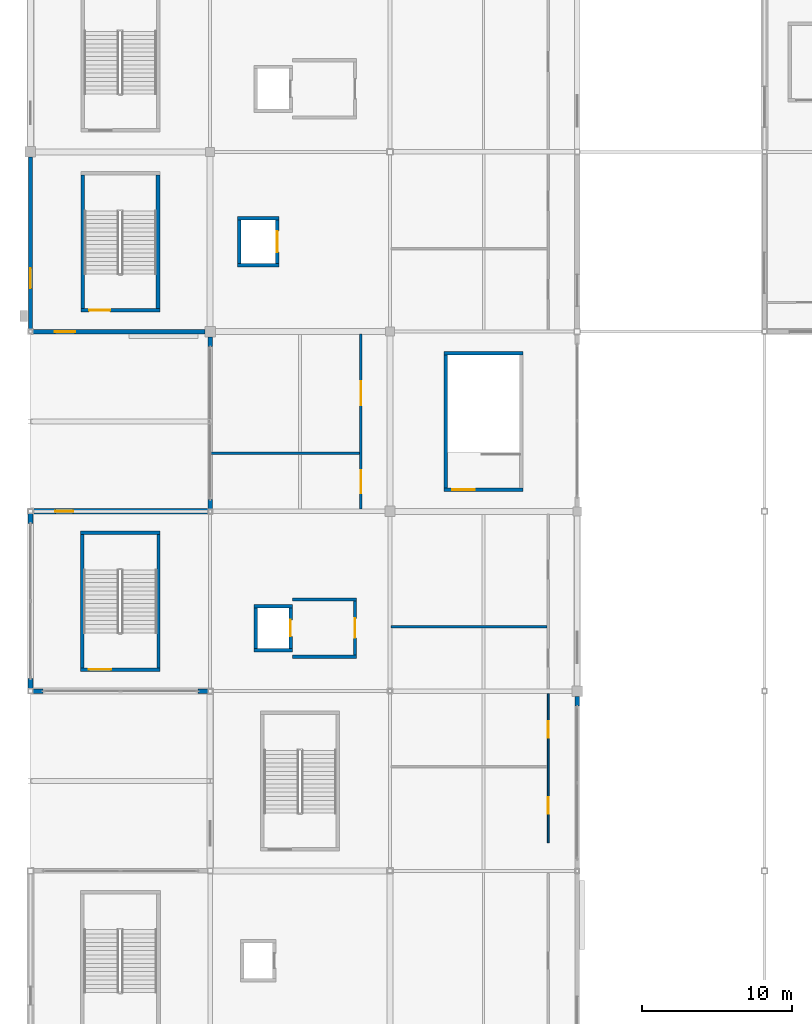
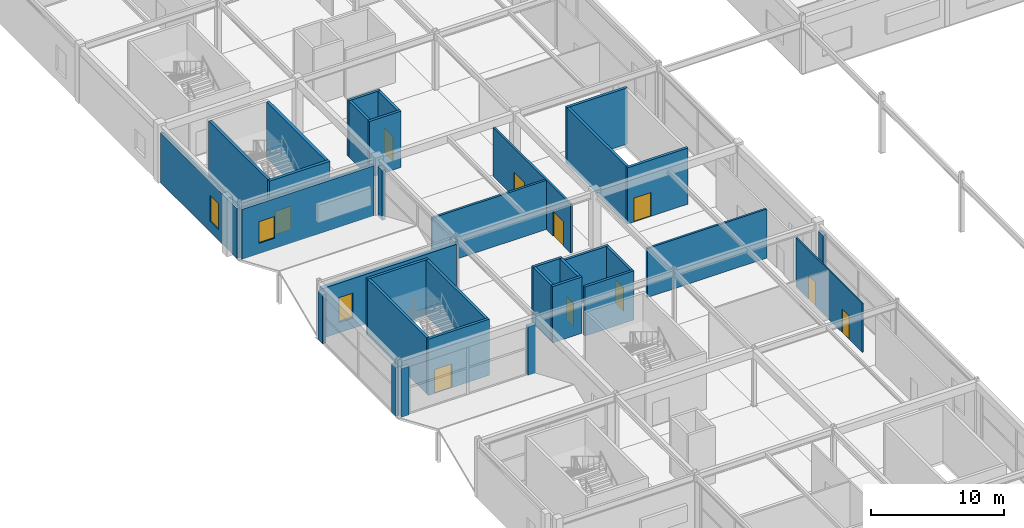
# One storey, part 75 of 105: 35 walls, 10 doors, 3 windows, 13 openings.
"""IFC4 building model written with IfcOpenShell, lengths in metres."""

from ifc_helpers import new_model, si_unit, direction, frame, frame_2d, origin, place, context, subcontext, project, spatial, rectangle, extrude, material, layer, layer_set, type_object, element, fill, save


model = new_model("IFC4")

# Units and contexts
model_context = context("Model", 3, precision=1e-05, world=origin(), true_north=direction((0.0, 1.0)))
body_context = subcontext(model_context, "Body", "Model", "MODEL_VIEW")
ifc_project = project(units=[si_unit("LENGTHUNIT", "METRE"), si_unit("AREAUNIT", "SQUARE_METRE"), si_unit("VOLUMEUNIT", "CUBIC_METRE"), si_unit("PLANEANGLEUNIT", "RADIAN"), si_unit("MASSUNIT", "GRAM", prefix="KILO")], contexts=[model_context])

# Site, building, storey
site_placement = place(None, origin())
site = spatial("IfcSite", under=ifc_project, at=site_placement, CompositionType="ELEMENT")
building_placement = place(site_placement, origin())
building = spatial("IfcBuilding", under=site, at=building_placement, Name="Kazenohara Klinker Stadium", CompositionType="ELEMENT")
storey_placement = place(building_placement, frame((0.0, 0.0, 20.39990234375)))
storey = spatial("IfcBuildingStorey", under=building, at=storey_placement, Name="L04", CompositionType="ELEMENT", Elevation=20.39990234375)

# Wall, opening, door
ifc_material_1 = material(Name="Concrete C40/50", Category="concrete")
ifc_layer_1 = layer(ifc_material_1, 0.22998046875)
ifc_layer_set_1 = layer_set([ifc_layer_1], Name="Concrete C40/50")
wall_type_1 = type_object("IfcWallType", Name="WAL-CORE-230", PredefinedType="SHEAR", material=ifc_layer_set_1)
wall_1_placement = place(storey_placement, frame((3.340087890625, 109.43505859375, 0.0), z_axis=(0.0, 0.0, 1.0), x_axis=(1.0, 0.0, 0.0)))
wall_1 = element("IfcWall", 1, at=wall_1_placement, inside=storey, type_object=wall_type_1, Name="Stairwell shear wall ST04 L04 South", PredefinedType="SHEAR", context=body_context, shape_type="SweptSolid", body=[
    extrude(rectangle(XDim=5.31982421875, YDim=0.22998046875, at=frame_2d((2.659912109375, 0.0))), origin(), (0.0, 0.0, 1.0), 5.18017578125),
])
opening_1_placement = place(wall_1_placement, frame((0.550048828125, 0.0, 0.0)))
opening_1 = element("IfcOpeningElement", 2, at=opening_1_placement, cuts=wall_1, Name="Opening SD02", PredefinedType="OPENING", context=body_context, shape_type="SweptSolid", body=[
    extrude(rectangle(XDim=1.5, YDim=2.199951171875, at=frame_2d((0.75, 1.10009765625))), frame((0.0, 0.125, 0.0), z_axis=(0.0, -1.0, 0.0), x_axis=(1.0, 0.0, 0.0)), (0.0, 0.0, 1.0), 0.25),
])
ifc_material_2 = material(Name="Flush painted steel fire door leaf", Category="steel")
door_type_1 = type_object("IfcDoorType", Name="DR-STR-1500x2200", OperationType="NOTDEFINED", PredefinedType="DOOR", material=ifc_material_2)
door_1_placement = place(opening_1_placement, origin())
door_1 = element("IfcDoor", 3, at=door_1_placement, inside=storey, type_object=door_type_1, Name="Escape stairwell fire door ST04-L04", OperationType="SINGLE_SWING_LEFT", OverallHeight=2.199951171875, OverallWidth=1.5, PredefinedType="DOOR", context=body_context, shape_type="SweptSolid", body=[
    extrude(rectangle(XDim=1.5, YDim=2.199951171875, at=frame_2d((0.75, 1.10009765625))), frame((0.0, 0.02490234375, 0.0), z_axis=(0.0, -1.0, 0.0), x_axis=(1.0, 0.0, 0.0)), (0.0, 0.0, 1.0), 0.050048828125),
])
fill(opening_1, door_1)

# Walls
wall_2_placement = place(storey_placement, frame((3.340087890625, 118.56494140625, 0.0), z_axis=(0.0, 0.0, 1.0), x_axis=(1.0, 0.0, 0.0)))
element("IfcWall", 4, at=wall_2_placement, inside=storey, type_object=wall_type_1, Name="Stairwell shear wall ST04 L04 North", PredefinedType="SHEAR", context=body_context, shape_type="SweptSolid", body=[
    extrude(rectangle(XDim=5.31982421875, YDim=0.22998046875, at=frame_2d((2.659912109375, 0.0))), origin(), (0.0, 0.0, 1.0), 5.18017578125),
])
for number, where, z_axis, x_axis, name in (
    (5, (3.455078125, 109.550048828125, 0.0), (0.0, 0.0, 1.0), (0.0, 1.0, 0.0), "Stairwell shear wall ST04 L04 West"),
    (6, (8.544921875, 109.550048828125, 0.0), (0.0, 0.0, 1.0), (0.0, 1.0, 0.0), "Stairwell shear wall ST04 L04 East"),
):
    element("IfcWall", number, at=place(storey_placement, frame(where, z_axis=z_axis, x_axis=x_axis)), inside=storey, type_object=wall_type_1, Name=name, PredefinedType="SHEAR", context=body_context, shape_type="SweptSolid", body=[
        extrude(rectangle(XDim=8.89990234375, YDim=0.22998046875, at=frame_2d((4.449951171875, 0.0))), origin(), (0.0, 0.0, 1.0), 5.18017578125),
    ])

# Wall, opening, door
wall_3_placement = place(storey_placement, frame((27.6201171875, 121.43505859375, 0.0), z_axis=(0.0, 0.0, 1.0), x_axis=(1.0, 0.0, 0.0)))
wall_3 = element("IfcWall", 7, at=wall_3_placement, inside=storey, type_object=wall_type_1, Name="Stairwell shear wall ST18 L04 South", PredefinedType="SHEAR", context=body_context, shape_type="SweptSolid", body=[
    extrude(rectangle(XDim=5.259765625, YDim=0.22998046875, at=frame_2d((2.6298828125, 0.0))), origin(), (0.0, 0.0, 1.0), 5.18017578125),
])
opening_2_placement = place(wall_3_placement, frame((0.550048828125, 0.0, 0.0)))
opening_2 = element("IfcOpeningElement", 8, at=opening_2_placement, cuts=wall_3, Name="Opening SD02", PredefinedType="OPENING", context=body_context, shape_type="SweptSolid", body=[
    extrude(rectangle(XDim=1.5, YDim=2.199951171875, at=frame_2d((0.75, 1.10009765625))), frame((0.0, 0.125, 0.0), z_axis=(0.0, -1.0, 0.0), x_axis=(1.0, 0.0, 0.0)), (0.0, 0.0, 1.0), 0.25),
])
door_2_placement = place(opening_2_placement, origin())
door_2 = element("IfcDoor", 9, at=door_2_placement, inside=storey, type_object=door_type_1, Name="Escape stairwell fire door ST18-L04", OperationType="SINGLE_SWING_RIGHT", OverallHeight=2.199951171875, OverallWidth=1.5, PredefinedType="DOOR", context=body_context, shape_type="SweptSolid", body=[
    extrude(rectangle(XDim=1.5, YDim=2.199951171875, at=frame_2d((0.75, 1.10009765625))), frame((0.0, 0.02490234375, 0.0), z_axis=(0.0, -1.0, 0.0), x_axis=(1.0, 0.0, 0.0)), (0.0, 0.0, 1.0), 0.050048828125),
])
fill(opening_2, door_2)

# Walls
wall_4_placement = place(storey_placement, frame((27.6201171875, 130.56494140625, 0.0), z_axis=(0.0, 0.0, 1.0), x_axis=(1.0, 0.0, 0.0)))
element("IfcWall", 10, at=wall_4_placement, inside=storey, type_object=wall_type_1, Name="Stairwell shear wall ST18 L04 North", PredefinedType="SHEAR", context=body_context, shape_type="SweptSolid", body=[
    extrude(rectangle(XDim=5.259765625, YDim=0.22998046875, at=frame_2d((2.6298828125, 0.0))), origin(), (0.0, 0.0, 1.0), 5.18017578125),
])
wall_5_placement = place(storey_placement, frame((27.735107421875, 121.550048828125, 0.0), z_axis=(0.0, 0.0, 1.0), x_axis=(0.0, 1.0, 0.0)))
element("IfcWall", 11, at=wall_5_placement, inside=storey, type_object=wall_type_1, Name="Stairwell shear wall ST18 L04 West", PredefinedType="SHEAR", context=body_context, shape_type="SweptSolid", body=[
    extrude(rectangle(XDim=8.89990234375, YDim=0.22998046875, at=frame_2d((4.449951171875, 0.0))), origin(), (0.0, 0.0, 1.0), 5.18017578125),
])
for number, where, z_axis, x_axis, name in (
    (12, (14.919921875, 110.735107421875, 0.0), (0.0, 0.0, 1.0), (1.0, 0.0, 0.0), "Elevator shaft wall LF02 L04 South"),
    (13, (14.919921875, 113.6650390625, 0.0), (0.0, 0.0, 1.0), (1.0, 0.0, 0.0), "Elevator shaft wall LF02 L04 North"),
):
    element("IfcWall", number, at=place(storey_placement, frame(where, z_axis=z_axis, x_axis=x_axis)), inside=storey, type_object=wall_type_1, Name=name, PredefinedType="SHEAR", context=body_context, shape_type="SweptSolid", body=[
        extrude(rectangle(XDim=2.56005859375, YDim=0.22998046875, at=frame_2d((1.280029296875, 0.0))), origin(), (0.0, 0.0, 1.0), 5.18017578125),
    ])
wall_6_placement = place(storey_placement, frame((15.034912109375, 110.85009765625, 0.0), z_axis=(0.0, 0.0, 1.0), x_axis=(0.0, 1.0, 0.0)))
element("IfcWall", 14, at=wall_6_placement, inside=storey, type_object=wall_type_1, Name="Elevator shaft wall LF02 L04 West", PredefinedType="SHEAR", context=body_context, shape_type="SweptSolid", body=[
    extrude(rectangle(XDim=2.699951171875, YDim=0.22998046875, at=frame_2d((1.35009765625, 0.0))), origin(), (0.0, 0.0, 1.0), 5.18017578125),
])

# Wall, opening, door
wall_7_placement = place(storey_placement, frame((17.364990234375, 110.85009765625, 0.0), z_axis=(0.0, 0.0, 1.0), x_axis=(0.0, 1.0, 0.0)))
wall_7 = element("IfcWall", 15, at=wall_7_placement, inside=storey, type_object=wall_type_1, Name="Elevator shaft wall LF02 L04 East", PredefinedType="SHEAR", context=body_context, shape_type="SweptSolid", body=[
    extrude(rectangle(XDim=2.699951171875, YDim=0.22998046875, at=frame_2d((1.35009765625, 0.0))), origin(), (0.0, 0.0, 1.0), 5.18017578125),
])
opening_3_placement = place(wall_7_placement, frame((0.800048828125, 0.0, 0.0)))
opening_3 = element("IfcOpeningElement", 16, at=opening_3_placement, cuts=wall_7, Name="Opening LD01", PredefinedType="OPENING", context=body_context, shape_type="SweptSolid", body=[
    extrude(rectangle(XDim=1.10009765625, YDim=2.14990234375, at=frame_2d((0.550048828125, 1.074951171875))), frame((0.0, 0.125, 0.0), z_axis=(0.0, -1.0, 0.0), x_axis=(1.0, 0.0, 0.0)), (0.0, 0.0, 1.0), 0.25),
])
ifc_material_3 = material(Name="Stainless steel fire-rated sliding landing door", Category="steel")
door_type_2 = type_object("IfcDoorType", Name="DR-LD01-1100x2150", OperationType="NOTDEFINED", PredefinedType="DOOR", material=ifc_material_3)
door_3_placement = place(opening_3_placement, origin())
door_3 = element("IfcDoor", 17, at=door_3_placement, inside=storey, type_object=door_type_2, Name="Elevator sliding landing door LF02-L04", OperationType="DOUBLE_DOOR_SLIDING", OverallHeight=2.14990234375, OverallWidth=1.10009765625, PredefinedType="DOOR", context=body_context, shape_type="SweptSolid", body=[
    extrude(rectangle(XDim=1.10009765625, YDim=2.14990234375, at=frame_2d((0.550048828125, 1.074951171875))), frame((0.0, 0.02490234375, 0.0), z_axis=(0.0, -1.0, 0.0), x_axis=(1.0, 0.0, 0.0)), (0.0, 0.0, 1.0), 0.050048828125),
])
fill(opening_3, door_3)

# Walls
for number, where, z_axis, x_axis, name in (
    (18, (13.820068359375, 136.43505859375, 0.0), (0.0, 0.0, 1.0), (1.0, 0.0, 0.0), "Elevator shaft wall LG01 L04 South"),
    (19, (13.820068359375, 139.56494140625, 0.0), (0.0, 0.0, 1.0), (1.0, 0.0, 0.0), "Elevator shaft wall LG01 L04 North"),
):
    element("IfcWall", number, at=place(storey_placement, frame(where, z_axis=z_axis, x_axis=x_axis)), inside=storey, type_object=wall_type_1, Name=name, PredefinedType="SHEAR", context=body_context, shape_type="SweptSolid", body=[
        extrude(rectangle(XDim=2.760009765625, YDim=0.22998046875, at=frame_2d((1.3798828125, 0.0))), origin(), (0.0, 0.0, 1.0), 5.18017578125),
    ])
wall_8_placement = place(storey_placement, frame((13.93505859375, 136.550048828125, 0.0), z_axis=(0.0, 0.0, 1.0), x_axis=(0.0, 1.0, 0.0)))
element("IfcWall", 20, at=wall_8_placement, inside=storey, type_object=wall_type_1, Name="Elevator shaft wall LG01 L04 West", PredefinedType="SHEAR", context=body_context, shape_type="SweptSolid", body=[
    extrude(rectangle(XDim=2.89990234375, YDim=0.22998046875, at=frame_2d((1.449951171875, 0.0))), origin(), (0.0, 0.0, 1.0), 5.18017578125),
])

# Wall, opening, door
wall_9_placement = place(storey_placement, frame((16.465087890625, 136.550048828125, 0.0), z_axis=(0.0, 0.0, 1.0), x_axis=(0.0, 1.0, 0.0)))
wall_9 = element("IfcWall", 21, at=wall_9_placement, inside=storey, type_object=wall_type_1, Name="Elevator shaft wall LG01 L04 East", PredefinedType="SHEAR", context=body_context, shape_type="SweptSolid", body=[
    extrude(rectangle(XDim=2.89990234375, YDim=0.22998046875, at=frame_2d((1.449951171875, 0.0))), origin(), (0.0, 0.0, 1.0), 5.18017578125),
])
opening_4_placement = place(wall_9_placement, frame((0.75, 0.0, 0.0)))
opening_4 = element("IfcOpeningElement", 22, at=opening_4_placement, cuts=wall_9, Name="Opening LD03", PredefinedType="OPENING", context=body_context, shape_type="SweptSolid", body=[
    extrude(rectangle(XDim=1.39990234375, YDim=2.25, at=frame_2d((0.699951171875, 1.125))), frame((0.0, 0.125, 0.0), z_axis=(0.0, -1.0, 0.0), x_axis=(1.0, 0.0, 0.0)), (0.0, 0.0, 1.0), 0.25),
])
ifc_material_4 = material(Name="Heavy-duty stainless steel sliding goods landing door", Category="steel")
door_type_3 = type_object("IfcDoorType", Name="DR-LD03-1400x2250", OperationType="NOTDEFINED", PredefinedType="DOOR", material=ifc_material_4)
door_4_placement = place(opening_4_placement, origin())
door_4 = element("IfcDoor", 23, at=door_4_placement, inside=storey, type_object=door_type_3, Name="Elevator sliding landing door LG01-L04", OperationType="DOUBLE_DOOR_SLIDING", OverallHeight=2.25, OverallWidth=1.39990234375, PredefinedType="DOOR", context=body_context, shape_type="SweptSolid", body=[
    extrude(rectangle(XDim=1.39990234375, YDim=2.25, at=frame_2d((0.699951171875, 1.125))), frame((0.0, 0.02490234375, 0.0), z_axis=(0.0, -1.0, 0.0), x_axis=(1.0, 0.0, 0.0)), (0.0, 0.0, 1.0), 0.050048828125),
])
fill(opening_4, door_4)

ifc_layer_2 = layer(ifc_material_1, 0.25)
ifc_layer_set_2 = layer_set([ifc_layer_2], Name="Concrete C40/50")
wall_type_2 = type_object("IfcWallType", Name="WAL-CORE-250", PredefinedType="SHEAR", material=ifc_layer_set_2)
wall_10_placement = place(storey_placement, frame((3.360107421875, 133.425048828125, 0.0), z_axis=(0.0, 0.0, 1.0), x_axis=(1.0, 0.0, 0.0)))
wall_10 = element("IfcWall", 24, at=wall_10_placement, inside=storey, type_object=wall_type_2, Name="Stairwell shear wall ST05 L04 South", PredefinedType="SHEAR", context=body_context, shape_type="SweptSolid", body=[
    extrude(rectangle(XDim=5.27978515625, YDim=0.25, at=frame_2d((2.639892578125, 0.0))), origin(), (0.0, 0.0, 1.0), 5.18017578125),
])
opening_5_placement = place(wall_10_placement, frame((0.550048828125, 0.0, 0.0)))
opening_5 = element("IfcOpeningElement", 25, at=opening_5_placement, cuts=wall_10, Name="Opening SD01", PredefinedType="OPENING", context=body_context, shape_type="SweptSolid", body=[
    extrude(rectangle(XDim=1.39990234375, YDim=2.14990234375, at=frame_2d((0.699951171875, 1.074951171875))), frame((0.0, 0.135009765625, 0.0), z_axis=(0.0, -1.0, 0.0), x_axis=(1.0, 0.0, 0.0)), (0.0, 0.0, 1.0), 0.27001953125),
])
door_type_4 = type_object("IfcDoorType", Name="DR-STR-1400x2150", OperationType="NOTDEFINED", PredefinedType="DOOR", material=ifc_material_2)
door_5_placement = place(opening_5_placement, origin())
door_5 = element("IfcDoor", 26, at=door_5_placement, inside=storey, type_object=door_type_4, Name="Escape stairwell fire door ST05-L04", OperationType="SINGLE_SWING_RIGHT", OverallHeight=2.14990234375, OverallWidth=1.39990234375, PredefinedType="DOOR", context=body_context, shape_type="SweptSolid", body=[
    extrude(rectangle(XDim=1.39990234375, YDim=2.14990234375, at=frame_2d((0.699951171875, 1.074951171875))), frame((0.0, 0.02490234375, 0.0), z_axis=(0.0, -1.0, 0.0), x_axis=(1.0, 0.0, 0.0)), (0.0, 0.0, 1.0), 0.050048828125),
])
fill(opening_5, door_5)

# Walls
for number, where, z_axis, x_axis, name in (
    (27, (3.485107421875, 133.550048828125, 0.0), (0.0, 0.0, 1.0), (0.0, 1.0, 0.0), "Stairwell shear wall ST05 L04 West"),
    (28, (8.514892578125, 133.550048828125, 0.0), (0.0, 0.0, 1.0), (0.0, 1.0, 0.0), "Stairwell shear wall ST05 L04 East"),
):
    element("IfcWall", number, at=place(storey_placement, frame(where, z_axis=z_axis, x_axis=x_axis)), inside=storey, type_object=wall_type_2, Name=name, PredefinedType="SHEAR", context=body_context, shape_type="SweptSolid", body=[
        extrude(rectangle(XDim=8.89990234375, YDim=0.25, at=frame_2d((4.449951171875, 0.0))), origin(), (0.0, 0.0, 1.0), 5.18017578125),
    ])

# Wall, opening, window
ifc_material_5 = material(Name="Clinker brick masonry", Category="masonry")
ifc_layer_3 = layer(ifc_material_5, 0.280029296875)
ifc_layer_set_3 = layer_set([ifc_layer_3], Name="Clinker brick masonry")
wall_type_3 = type_object("IfcWallType", Name="WAL-EXT-CB280", PredefinedType="SOLIDWALL", material=ifc_layer_set_3)
wall_11_placement = place(storey_placement, frame((0.0, 132.12890625, 0.0), z_axis=(0.0, 0.0, 1.0), x_axis=(0.0, 1.0, 0.0)))
wall_11 = element("IfcWall", 29, at=wall_11_placement, inside=storey, type_object=wall_type_3, Name="Clinker brick cavity wall EW06 L04 Y0-11", PredefinedType="SOLIDWALL", context=body_context, shape_type="SweptSolid", body=[
    extrude(rectangle(XDim=11.51708984375, YDim=0.280029296875, at=frame_2d((5.758544921875, 0.0))), origin(), (0.0, 0.0, 1.0), 4.592041015625),
])
opening_6_placement = place(wall_11_placement, frame((2.75, 0.0, 0.949951171875)))
opening_6 = element("IfcOpeningElement", 30, at=opening_6_placement, cuts=wall_11, Name="Opening W08", PredefinedType="OPENING", context=body_context, shape_type="SweptSolid", body=[
    extrude(rectangle(XDim=1.35009765625, YDim=2.39990234375, at=frame_2d((0.675048828125, 1.199951171875))), frame((0.0, 0.14990234375, 0.0), z_axis=(0.0, -1.0, 0.0), x_axis=(1.0, 0.0, 0.0)), (0.0, 0.0, 1.0), 0.300048828125),
])
ifc_material_6 = material(Name="Dark bronze aluminium frame and triple glazing", Category="aluminium")
window_type_1 = type_object("IfcWindowType", Name="WIN-AS-08", PartitioningType="SINGLE_PANEL", PredefinedType="WINDOW", material=ifc_material_6)
window_1_placement = place(opening_6_placement, origin())
window_1 = element("IfcWindow", 31, at=window_1_placement, inside=storey, type_object=window_type_1, Name="Horizontal-mullion ladder window W08 L04 Y0-11", OverallHeight=2.39990234375, OverallWidth=1.35009765625, PartitioningType="SINGLE_PANEL", PredefinedType="WINDOW", context=body_context, shape_type="SweptSolid", body=[
    extrude(rectangle(XDim=1.35009765625, YDim=2.39990234375, at=frame_2d((0.675048828125, 1.199951171875))), frame((0.0, 0.030029296875, 0.0), z_axis=(0.0, -1.0, 0.0), x_axis=(1.0, 0.0, 0.0)), (0.0, 0.0, 1.0), 0.06005859375),
])
fill(opening_6, window_1)

# Walls
ifc_layer_4 = layer(ifc_material_5, 0.31005859375)
ifc_layer_set_4 = layer_set([ifc_layer_4], Name="Clinker brick masonry")
wall_type_4 = type_object("IfcWallType", Name="WAL-EXT-CB310", PredefinedType="SOLIDWALL", material=ifc_layer_set_4)
wall_12_placement = place(storey_placement, frame((0.178955078125, 108.0, 0.0), z_axis=(0.0, 0.0, 1.0), x_axis=(1.0, 0.0, 0.0)))
element("IfcWall", 32, at=wall_12_placement, inside=storey, type_object=wall_type_4, Name="Clinker brick curtain-wall jamb pier L04 X0-9 A", PredefinedType="SOLIDWALL", context=body_context, shape_type="SweptSolid", body=[
    extrude(rectangle(XDim=0.650146484375, YDim=0.31005859375, at=frame_2d((0.3251953125, 0.0))), origin(), (0.0, 0.0, 1.0), 4.47998046875),
])
wall_13_placement = place(storey_placement, frame((11.196044921875, 108.0, 0.0), z_axis=(0.0, 0.0, 1.0), x_axis=(1.0, 0.0, 0.0)))
element("IfcWall", 33, at=wall_13_placement, inside=storey, type_object=wall_type_4, Name="Clinker brick curtain-wall jamb pier L04 X0-9 B", PredefinedType="SOLIDWALL", context=body_context, shape_type="SweptSolid", body=[
    extrude(rectangle(XDim=0.64990234375, YDim=0.31005859375, at=frame_2d((0.324951171875, 0.0))), origin(), (0.0, 0.0, 1.0), 4.47998046875),
])
wall_14_placement = place(storey_placement, frame((0.0, 108.178955078125, 0.0), z_axis=(0.0, 0.0, 1.0), x_axis=(0.0, 1.0, 0.0)))
element("IfcWall", 34, at=wall_14_placement, inside=storey, type_object=wall_type_4, Name="Clinker brick curtain-wall jamb pier L04 Y0-9 A", PredefinedType="SOLIDWALL", context=body_context, shape_type="SweptSolid", body=[
    extrude(rectangle(XDim=0.650146484375, YDim=0.31005859375, at=frame_2d((0.3251953125, 0.0))), origin(), (0.0, 0.0, 1.0), 4.47998046875),
])
wall_15_placement = place(storey_placement, frame((0.0, 119.196044921875, 0.0), z_axis=(0.0, 0.0, 1.0), x_axis=(0.0, 1.0, 0.0)))
element("IfcWall", 35, at=wall_15_placement, inside=storey, type_object=wall_type_4, Name="Clinker brick curtain-wall jamb pier L04 Y0-9 B", PredefinedType="SOLIDWALL", context=body_context, shape_type="SweptSolid", body=[
    extrude(rectangle(XDim=0.64990234375, YDim=0.31005859375, at=frame_2d((0.324951171875, 0.0))), origin(), (0.0, 0.0, 1.0), 4.47998046875),
])

# Wall, opening, window
wall_16_placement = place(storey_placement, frame((0.12890625, 132.0, 0.0), z_axis=(0.0, 0.0, 1.0), x_axis=(1.0, 0.0, 0.0)))
wall_16 = element("IfcWall", 36, at=wall_16_placement, inside=storey, type_object=wall_type_4, Name="Clinker brick cavity wall EW05 L04 X0-11", PredefinedType="SOLIDWALL", context=body_context, shape_type="SweptSolid", body=[
    extrude(rectangle(XDim=11.51708984375, YDim=0.31005859375, at=frame_2d((5.758544921875, 0.0))), origin(), (0.0, 0.0, 1.0), 4.592041015625),
])
opening_7_placement = place(wall_16_placement, frame((1.5, 0.0, 0.949951171875)))
opening_7 = element("IfcOpeningElement", 37, at=opening_7_placement, cuts=wall_16, Name="Opening W07", PredefinedType="OPENING", context=body_context, shape_type="SweptSolid", body=[
    extrude(rectangle(XDim=1.35009765625, YDim=2.0, at=frame_2d((0.675048828125, 1.0))), frame((0.0, 0.1650390625, 0.0), z_axis=(0.0, -1.0, 0.0), x_axis=(1.0, 0.0, 0.0)), (0.0, 0.0, 1.0), 0.330078125),
])
window_type_2 = type_object("IfcWindowType", Name="WIN-AS-07", PartitioningType="SINGLE_PANEL", PredefinedType="WINDOW", material=ifc_material_6)
window_2_placement = place(opening_7_placement, origin())
window_2 = element("IfcWindow", 38, at=window_2_placement, inside=storey, type_object=window_type_2, Name="Horizontal-mullion ladder window W07 L04 X0-11", OverallHeight=2.0, OverallWidth=1.35009765625, PartitioningType="SINGLE_PANEL", PredefinedType="WINDOW", context=body_context, shape_type="SweptSolid", body=[
    extrude(rectangle(XDim=1.35009765625, YDim=2.0, at=frame_2d((0.675048828125, 1.0))), frame((0.0, 0.030029296875, 0.0), z_axis=(0.0, -1.0, 0.0), x_axis=(1.0, 0.0, 0.0)), (0.0, 0.0, 1.0), 0.06005859375),
])
fill(opening_7, window_2)

# Walls
wall_17_placement = place(storey_placement, frame((12.0, 120.12890625, 0.0), z_axis=(0.0, 0.0, 1.0), x_axis=(0.0, 1.0, 0.0)))
element("IfcWall", 39, at=wall_17_placement, inside=storey, type_object=wall_type_4, Name="Clinker brick curtain-wall jamb pier L04 Y1-10 A", PredefinedType="SOLIDWALL", context=body_context, shape_type="SweptSolid", body=[
    extrude(rectangle(XDim=0.650146484375, YDim=0.31005859375, at=frame_2d((0.3251953125, 0.0))), origin(), (0.0, 0.0, 1.0), 4.592041015625),
])
for number, where, z_axis, x_axis, name in (
    (40, (12.0, 130.99609375, 0.0), (0.0, 0.0, 1.0), (0.0, 1.0, 0.0), "Clinker brick curtain-wall jamb pier L04 Y1-10 B"),
    (41, (36.5, 106.99609375, 0.0), (0.0, 0.0, 1.0), (0.0, 1.0, 0.0), "Clinker brick curtain-wall jamb pier L04 Y3-8 B"),
):
    element("IfcWall", number, at=place(storey_placement, frame(where, z_axis=z_axis, x_axis=x_axis)), inside=storey, type_object=wall_type_4, Name=name, PredefinedType="SOLIDWALL", context=body_context, shape_type="SweptSolid", body=[
        extrude(rectangle(XDim=0.64990234375, YDim=0.31005859375, at=frame_2d((0.324951171875, 0.0))), origin(), (0.0, 0.0, 1.0), 4.592041015625),
    ])

# Wall, opening, window
ifc_layer_5 = layer(ifc_material_5, 0.3701171875)
ifc_layer_set_5 = layer_set([ifc_layer_5], Name="Clinker brick masonry")
wall_type_5 = type_object("IfcWallType", Name="WAL-EXT-CB370", PredefinedType="SOLIDWALL", material=ifc_layer_set_5)
wall_18_placement = place(storey_placement, frame((0.154052734375, 120.0, 0.0), z_axis=(0.0, 0.0, 1.0), x_axis=(1.0, 0.0, 0.0)))
wall_18 = element("IfcWall", 42, at=wall_18_placement, inside=storey, type_object=wall_type_5, Name="Clinker brick cavity wall EW03 L04 X0-10", PredefinedType="SOLIDWALL", context=body_context, shape_type="SweptSolid", body=[
    extrude(rectangle(XDim=11.717041015625, YDim=0.3701171875, at=frame_2d((5.8583984375, 0.0))), origin(), (0.0, 0.0, 1.0), 4.580078125),
])
opening_8_placement = place(wall_18_placement, frame((1.5, 0.0, 0.949951171875)))
opening_8 = element("IfcOpeningElement", 43, at=opening_8_placement, cuts=wall_18, Name="Opening W06", PredefinedType="OPENING", context=body_context, shape_type="SweptSolid", body=[
    extrude(rectangle(XDim=1.199951171875, YDim=2.300048828125, at=frame_2d((0.60009765625, 1.14990234375))), frame((0.0, 0.195068359375, 0.0), z_axis=(0.0, -1.0, 0.0), x_axis=(1.0, 0.0, 0.0)), (0.0, 0.0, 1.0), 0.39013671875),
])
window_type_3 = type_object("IfcWindowType", Name="WIN-AS-06", PartitioningType="SINGLE_PANEL", PredefinedType="WINDOW", material=ifc_material_6)
window_3_placement = place(opening_8_placement, origin())
window_3 = element("IfcWindow", 44, at=window_3_placement, inside=storey, type_object=window_type_3, Name="Horizontal-mullion ladder window W06 L04 X0-10", OverallHeight=2.300048828125, OverallWidth=1.199951171875, PartitioningType="SINGLE_PANEL", PredefinedType="WINDOW", context=body_context, shape_type="SweptSolid", body=[
    extrude(rectangle(XDim=1.199951171875, YDim=2.300048828125, at=frame_2d((0.60009765625, 1.14990234375))), frame((0.0, 0.030029296875, 0.0), z_axis=(0.0, -1.0, 0.0), x_axis=(1.0, 0.0, 0.0)), (0.0, 0.0, 1.0), 0.06005859375),
])
fill(opening_8, window_3)

# Walls
ifc_layer_6 = layer(ifc_material_1, 0.219970703125)
ifc_layer_set_6 = layer_set([ifc_layer_6], Name="Concrete C40/50")
wall_type_6 = type_object("IfcWallType", Name="WAL-INT-FF220", PredefinedType="SOLIDWALL", material=ifc_layer_set_6)
for number, where, z_axis, x_axis, name in (
    (45, (17.47998046875, 110.2900390625, 0.0), (0.0, 0.0, 1.0), (1.0, 0.0, 0.0), "Firefighting lobby wall LF02 L04 South"),
    (46, (17.47998046875, 114.110107421875, 0.0), (0.0, 0.0, 1.0), (1.0, 0.0, 0.0), "Firefighting lobby wall LF02 L04 North"),
):
    element("IfcWall", number, at=place(storey_placement, frame(where, z_axis=z_axis, x_axis=x_axis)), inside=storey, type_object=wall_type_6, Name=name, PredefinedType="SOLIDWALL", context=body_context, shape_type="SweptSolid", body=[
        extrude(rectangle(XDim=4.2900390625, YDim=0.219970703125, at=frame_2d((2.14501953125, 0.0))), origin(), (0.0, 0.0, 1.0), 4.52001953125),
    ])

# Wall, opening, door
wall_19_placement = place(storey_placement, frame((21.659912109375, 110.39990234375, 0.0), z_axis=(0.0, 0.0, 1.0), x_axis=(0.0, 1.0, 0.0)))
wall_19 = element("IfcWall", 47, at=wall_19_placement, inside=storey, type_object=wall_type_6, Name="Firefighting lobby front wall LF02 L04", PredefinedType="SOLIDWALL", context=body_context, shape_type="SweptSolid", body=[
    extrude(rectangle(XDim=3.60009765625, YDim=0.219970703125, at=frame_2d((1.800048828125, 0.0))), origin(), (0.0, 0.0, 1.0), 4.52001953125),
])
opening_9_placement = place(wall_19_placement, frame((1.14990234375, 0.0, 0.0)))
opening_9 = element("IfcOpeningElement", 48, at=opening_9_placement, cuts=wall_19, Name="Opening FD01", PredefinedType="OPENING", context=body_context, shape_type="SweptSolid", body=[
    extrude(rectangle(XDim=1.300048828125, YDim=2.14990234375, at=frame_2d((0.64990234375, 1.074951171875))), frame((0.0, 0.1201171875, 0.0), z_axis=(0.0, -1.0, 0.0), x_axis=(1.0, 0.0, 0.0)), (0.0, 0.0, 1.0), 0.239990234375),
])
ifc_material_7 = material(Name="Smoke-sealed steel fire lobby door", Category="steel")
door_type_5 = type_object("IfcDoorType", Name="DR-FFL-1300x2150", OperationType="NOTDEFINED", PredefinedType="DOOR", material=ifc_material_7)
door_6_placement = place(opening_9_placement, origin())
door_6 = element("IfcDoor", 49, at=door_6_placement, inside=storey, type_object=door_type_5, Name="Firefighting lobby smoke-sealed door LF02-L04", OperationType="SINGLE_SWING_LEFT", OverallHeight=2.14990234375, OverallWidth=1.300048828125, PredefinedType="DOOR", context=body_context, shape_type="SweptSolid", body=[
    extrude(rectangle(XDim=1.300048828125, YDim=2.14990234375, at=frame_2d((0.64990234375, 1.074951171875))), frame((0.0, 0.02490234375, 0.0), z_axis=(0.0, -1.0, 0.0), x_axis=(1.0, 0.0, 0.0)), (0.0, 0.0, 1.0), 0.050048828125),
])
fill(opening_9, door_6)

# Wall, openings, doors
ifc_material_8 = material(Name="Fire-rated gypsum board on acoustic studs", Category="gypsum")
ifc_layer_7 = layer(ifc_material_8, 0.110107421875)
ifc_layer_set_7 = layer_set([ifc_layer_7], Name="Fire-rated gypsum board on acoustic studs")
wall_type_7 = type_object("IfcWallType", Name="WAL-INT-P110", PredefinedType="PARTITIONING", material=ifc_layer_set_7)
wall_20_placement = place(storey_placement, frame((34.56005859375, 97.8701171875, 0.0), z_axis=(0.0, 0.0, 1.0), x_axis=(0.0, 1.0, 0.0)))
wall_20 = element("IfcWall", 50, at=wall_20_placement, inside=storey, type_object=wall_type_7, Name="Interior partition wall PT01 SPC-L04-02-08-1-1", PredefinedType="PARTITIONING", context=body_context, shape_type="SweptSolid", body=[
    extrude(rectangle(XDim=9.969970703125, YDim=0.110107421875, at=frame_2d((4.98486328125, 0.0))), origin(), (0.0, 0.0, 1.0), 4.52001953125),
])
opening_10_placement = place(wall_20_placement, frame((1.95751953125, 0.0, 0.0)))
opening_10 = element("IfcOpeningElement", 51, at=opening_10_placement, cuts=wall_20, Name="Opening ID08", PredefinedType="OPENING", context=body_context, shape_type="SweptSolid", body=[
    extrude(rectangle(XDim=1.090087890625, YDim=2.159912109375, at=frame_2d((0.544921875, 1.080078125))), frame((0.0, 0.06494140625, 0.0), z_axis=(0.0, -1.0, 0.0), x_axis=(1.0, 0.0, 0.0)), (0.0, 0.0, 1.0), 0.130126953125),
])
opening_11_placement = place(wall_20_placement, frame((7.00732421875, 0.0, 0.0)))
opening_11 = element("IfcOpeningElement", 52, at=opening_11_placement, cuts=wall_20, Name="Opening ID09", PredefinedType="OPENING", context=body_context, shape_type="SweptSolid", body=[
    extrude(rectangle(XDim=1.1201171875, YDim=2.179931640625, at=frame_2d((0.56005859375, 1.08984375))), frame((0.0, 0.06494140625, 0.0), z_axis=(0.0, -1.0, 0.0), x_axis=(1.0, 0.0, 0.0)), (0.0, 0.0, 1.0), 0.130126953125),
])
ifc_material_9 = material(Name="Solid-core Hokkaido oak fire door", Category="wood")
door_type_6 = type_object("IfcDoorType", Name="DR-INT-08", OperationType="NOTDEFINED", PredefinedType="DOOR", material=ifc_material_9)
door_7_placement = place(opening_10_placement, origin())
door_7 = element("IfcDoor", 53, at=door_7_placement, inside=storey, type_object=door_type_6, Name="Interior door ID08 Executive Club Dining Suite L04-0208A", OperationType="SINGLE_SWING_LEFT", OverallHeight=2.159912109375, OverallWidth=1.090087890625, PredefinedType="DOOR", context=body_context, shape_type="SweptSolid", body=[
    extrude(rectangle(XDim=1.090087890625, YDim=2.159912109375, at=frame_2d((0.544921875, 1.080078125))), frame((0.0, 0.02490234375, 0.0), z_axis=(0.0, -1.0, 0.0), x_axis=(1.0, 0.0, 0.0)), (0.0, 0.0, 1.0), 0.050048828125),
])
fill(opening_10, door_7)
door_type_7 = type_object("IfcDoorType", Name="DR-INT-09", OperationType="NOTDEFINED", PredefinedType="DOOR", material=ifc_material_9)
door_8_placement = place(opening_11_placement, origin())
door_8 = element("IfcDoor", 54, at=door_8_placement, inside=storey, type_object=door_type_7, Name="Interior door ID09 Roof Garden Culinary Catering Kitchen L04-0208B", OperationType="SINGLE_SWING_RIGHT", OverallHeight=2.179931640625, OverallWidth=1.1201171875, PredefinedType="DOOR", context=body_context, shape_type="SweptSolid", body=[
    extrude(rectangle(XDim=1.1201171875, YDim=2.179931640625, at=frame_2d((0.56005859375, 1.08984375))), frame((0.0, 0.02490234375, 0.0), z_axis=(0.0, -1.0, 0.0), x_axis=(1.0, 0.0, 0.0)), (0.0, 0.0, 1.0), 0.050048828125),
])
fill(opening_11, door_8)

ifc_layer_8 = layer(ifc_material_8, 0.169921875)
ifc_layer_set_8 = layer_set([ifc_layer_8], Name="Fire-rated gypsum board on acoustic studs")
wall_type_8 = type_object("IfcWallType", Name="WAL-INT-P170", PredefinedType="PARTITIONING", material=ifc_layer_set_8)
wall_21_placement = place(storey_placement, frame((22.06005859375, 120.159912109375, 0.0), z_axis=(0.0, 0.0, 1.0), x_axis=(0.0, 1.0, 0.0)))
wall_21 = element("IfcWall", 55, at=wall_21_placement, inside=storey, type_object=wall_type_8, Name="Interior partition wall PT05 SPC-L04-01-10-1-1", PredefinedType="PARTITIONING", context=body_context, shape_type="SweptSolid", body=[
    extrude(rectangle(XDim=11.68017578125, YDim=0.169921875, at=frame_2d((5.840087890625, 0.0))), origin(), (0.0, 0.0, 1.0), 4.52001953125),
])
opening_12_placement = place(wall_21_placement, frame((1.037109375, 0.0, 0.0)))
opening_12 = element("IfcOpeningElement", 56, at=opening_12_placement, cuts=wall_21, Name="Opening ID22", PredefinedType="OPENING", context=body_context, shape_type="SweptSolid", body=[
    extrude(rectangle(XDim=1.56005859375, YDim=2.260009765625, at=frame_2d((0.780029296875, 1.1298828125))), frame((0.0, 0.094970703125, 0.0), z_axis=(0.0, -1.0, 0.0), x_axis=(1.0, 0.0, 0.0)), (0.0, 0.0, 1.0), 0.18994140625),
])
opening_13_placement = place(wall_21_placement, frame((6.93701171875, 0.0, 0.0)))
opening_13 = element("IfcOpeningElement", 57, at=opening_13_placement, cuts=wall_21, Name="Opening ID23", PredefinedType="OPENING", context=body_context, shape_type="SweptSolid", body=[
    extrude(rectangle(XDim=1.60009765625, YDim=2.300048828125, at=frame_2d((0.800048828125, 1.14990234375))), frame((0.0, 0.094970703125, 0.0), z_axis=(0.0, -1.0, 0.0), x_axis=(1.0, 0.0, 0.0)), (0.0, 0.0, 1.0), 0.18994140625),
])
ifc_material_10 = material(Name="Painted steel plant fire door", Category="steel")
door_type_8 = type_object("IfcDoorType", Name="DR-INT-22", OperationType="NOTDEFINED", PredefinedType="DOOR", material=ifc_material_10)
door_9_placement = place(opening_12_placement, origin())
door_9 = element("IfcDoor", 58, at=door_9_placement, inside=storey, type_object=door_type_8, Name="Interior door ID22 Winter-Garden Conservatory Tearoom L04-0110A", OperationType="SINGLE_SWING_LEFT", OverallHeight=2.260009765625, OverallWidth=1.56005859375, PredefinedType="DOOR", context=body_context, shape_type="SweptSolid", body=[
    extrude(rectangle(XDim=1.56005859375, YDim=2.260009765625, at=frame_2d((0.780029296875, 1.1298828125))), frame((0.0, 0.02490234375, 0.0), z_axis=(0.0, -1.0, 0.0), x_axis=(1.0, 0.0, 0.0)), (0.0, 0.0, 1.0), 0.050048828125),
])
fill(opening_12, door_9)
door_type_9 = type_object("IfcDoorType", Name="DR-INT-23", OperationType="NOTDEFINED", PredefinedType="DOOR", material=ifc_material_10)
door_10_placement = place(opening_13_placement, origin())
door_10 = element("IfcDoor", 59, at=door_10_placement, inside=storey, type_object=door_type_9, Name="Interior door ID23 Presidential Reception Hospitality Salon L04-0110B", OperationType="SINGLE_SWING_RIGHT", OverallHeight=2.300048828125, OverallWidth=1.60009765625, PredefinedType="DOOR", context=body_context, shape_type="SweptSolid", body=[
    extrude(rectangle(XDim=1.60009765625, YDim=2.300048828125, at=frame_2d((0.800048828125, 1.14990234375))), frame((0.0, 0.02490234375, 0.0), z_axis=(0.0, -1.0, 0.0), x_axis=(1.0, 0.0, 0.0)), (0.0, 0.0, 1.0), 0.050048828125),
])
fill(opening_13, door_10)

# Walls
wall_22_placement = place(storey_placement, frame((24.080078125, 112.294677734375, 0.0), z_axis=(0.0, 0.0, 1.0), x_axis=(1.0, 0.0, 0.0)))
element("IfcWall", 60, at=wall_22_placement, inside=storey, type_object=wall_type_8, Name="Interior partition wall PT05 SPC-L04-02-09-1-2", PredefinedType="PARTITIONING", context=body_context, shape_type="SweptSolid", body=[
    extrude(rectangle(XDim=10.39990234375, YDim=0.169921875, at=frame_2d((5.199951171875, 0.0))), origin(), (0.0, 0.0, 1.0), 4.52001953125),
])
ifc_layer_9 = layer(ifc_material_8, 0.18994140625)
ifc_layer_set_9 = layer_set([ifc_layer_9], Name="Fire-rated gypsum board on acoustic studs")
wall_type_9 = type_object("IfcWallType", Name="WAL-INT-P190", PredefinedType="PARTITIONING", material=ifc_layer_set_9)
wall_23_placement = place(storey_placement, frame((12.02392578125, 123.874267578125, 0.0), z_axis=(0.0, 0.0, 1.0), x_axis=(1.0, 0.0, 0.0)))
element("IfcWall", 61, at=wall_23_placement, inside=storey, type_object=wall_type_9, Name="Interior partition wall PT06 SPC-L04-01-10-1-2", PredefinedType="PARTITIONING", context=body_context, shape_type="SweptSolid", body=[
    extrude(rectangle(XDim=9.946044921875, YDim=0.18994140625, at=frame_2d((4.97314453125, 0.0))), origin(), (0.0, 0.0, 1.0), 4.52001953125),
])

save(model, "model.ifc")
